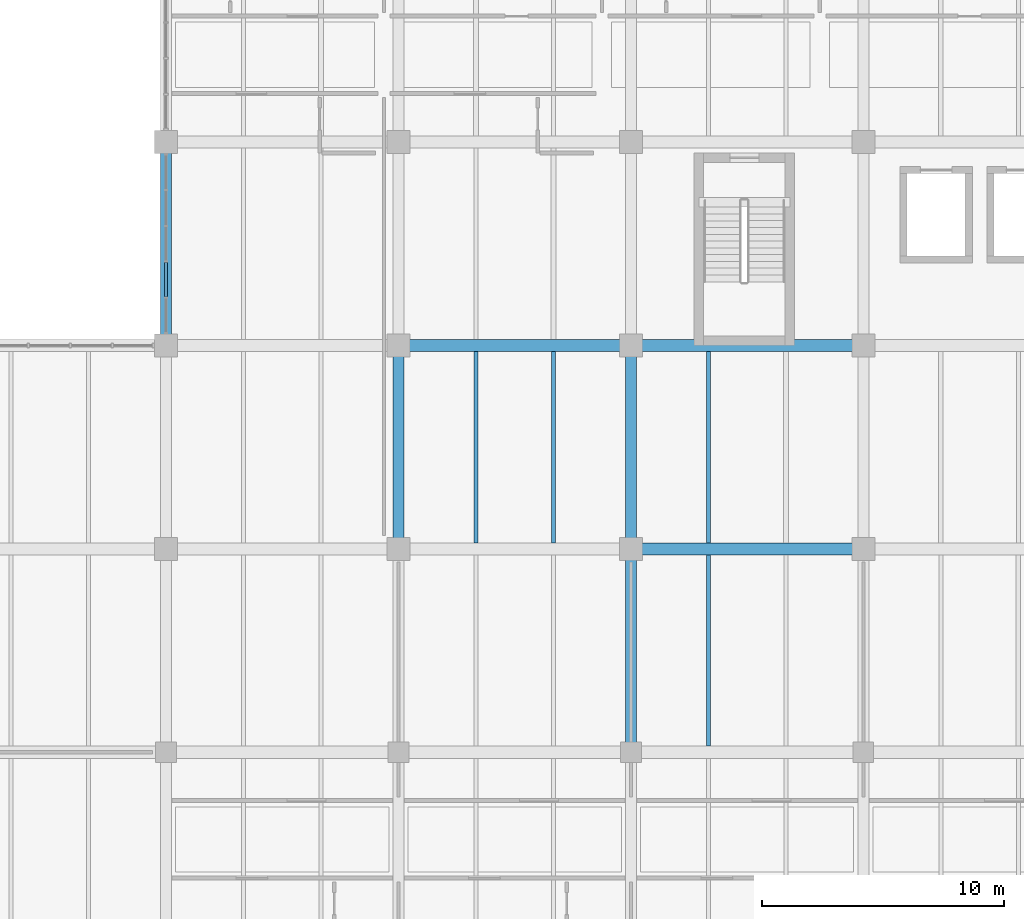
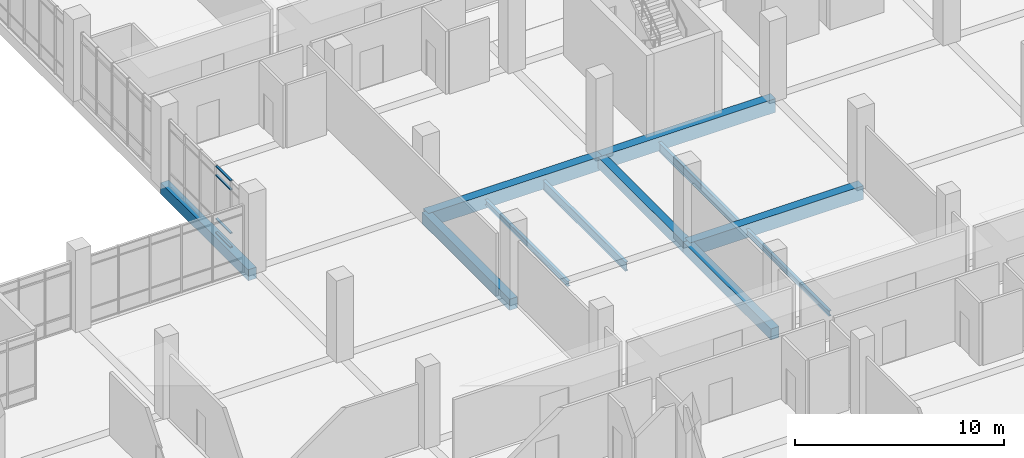
# One storey, part 69 of 152: 11 beams, 4 members, 1 element without a shape of its own.
"""IFC4 building model written with IfcOpenShell, lengths in metres."""

from ifc_helpers import new_model, si_unit, direction, frame, origin, origin_2d, place, context, subcontext, project, spatial, rectangle, i_section, extrude, material, material_profile, profile_set, type_object, element, aggregate, save


model = new_model("IFC4")

# Units and contexts
model_context = context("Model", 3, precision=1e-05, world=origin(), true_north=direction((0.0, 1.0)))
body_context = subcontext(model_context, "Body", "Model", "MODEL_VIEW")
ifc_project = project(units=[si_unit("LENGTHUNIT", "METRE"), si_unit("AREAUNIT", "SQUARE_METRE"), si_unit("VOLUMEUNIT", "CUBIC_METRE"), si_unit("PLANEANGLEUNIT", "RADIAN"), si_unit("MASSUNIT", "GRAM", prefix="KILO")], contexts=[model_context])

# Site, building, storey
site_placement = place(None, origin())
site = spatial("IfcSite", under=ifc_project, at=site_placement, CompositionType="ELEMENT")
building_placement = place(site_placement, origin())
building = spatial("IfcBuilding", under=site, at=building_placement, Name="Oolite Switchyard Hospital", CompositionType="ELEMENT")
storey_placement = place(building_placement, frame((0.0, 0.0, 5.10009765625)))
storey = spatial("IfcBuildingStorey", under=building, at=storey_placement, Name="L01", CompositionType="ELEMENT", Elevation=5.10009765625)

# Beams
ifc_material_1 = material(Name="Concrete C40/50", Category="concrete")
ifc_material_profile_1 = material_profile(ifc_material_1, rectangle(XDim=0.449951171875, YDim=0.64990234375, at=origin_2d()), Name="RCB450X650")
ifc_profile_set_1 = profile_set([ifc_material_profile_1], Name="Concrete C40/50")
beam_type_1 = type_object("IfcBeamType", Name="BM-RC450X650", PredefinedType="BEAM", material=ifc_profile_set_1)
beam_1_placement = place(storey_placement, frame((134.39990234375, 109.199951171875, -0.3251953125), z_axis=(0.0, 1.0, 0.0), x_axis=(-1.0, 0.0, 0.0)))
element("IfcBeam", 1, at=beam_1_placement, inside=storey, type_object=beam_type_1, Name="L01 Y-Girder 456", PredefinedType="BEAM", context=body_context, shape_type="SweptSolid", body=[
    extrude(rectangle(XDim=0.449951171875, YDim=0.64990234375, at=origin_2d()), origin(), (0.0, 0.0, 1.0), 8.400146484375),
])
beam_2_placement = place(storey_placement, frame((144.0, 100.800048828125, -0.3251953125), z_axis=(0.0, 1.0, 0.0), x_axis=(-1.0, 0.0, 0.0)))
element("IfcBeam", 2, at=beam_2_placement, inside=storey, type_object=beam_type_1, Name="L01 Y-Girder 470", PredefinedType="BEAM", context=body_context, shape_type="SweptSolid", body=[
    extrude(rectangle(XDim=0.449951171875, YDim=0.64990234375, at=origin_2d()), origin(), (0.0, 0.0, 1.0), 8.39990234375),
])
beam_3_placement = place(storey_placement, frame((153.60009765625, 92.39990234375, -0.3251953125), z_axis=(0.0, 1.0, 0.0), x_axis=(-1.0, 0.0, 0.0)))
element("IfcBeam", 3, at=beam_3_placement, inside=storey, type_object=beam_type_1, Name="L01 Y-Girder 482", PredefinedType="BEAM", context=body_context, shape_type="SweptSolid", body=[
    extrude(rectangle(XDim=0.449951171875, YDim=0.64990234375, at=origin_2d()), origin(), (0.0, 0.0, 1.0), 8.400146484375),
])
beam_4_placement = place(storey_placement, frame((153.60009765625, 100.800048828125, -0.3251953125), z_axis=(0.0, 1.0, 0.0), x_axis=(-1.0, 0.0, 0.0)))
element("IfcBeam", 4, at=beam_4_placement, inside=storey, type_object=beam_type_1, Name="L01 Y-Girder 483", PredefinedType="BEAM", context=body_context, shape_type="SweptSolid", body=[
    extrude(rectangle(XDim=0.449951171875, YDim=0.64990234375, at=origin_2d()), origin(), (0.0, 0.0, 1.0), 8.39990234375),
])
ifc_material_profile_2 = material_profile(ifc_material_1, rectangle(XDim=0.5, YDim=0.800048828125, at=origin_2d()), Name="RCB500X800")
ifc_profile_set_2 = profile_set([ifc_material_profile_2], Name="Concrete C40/50")
beam_type_2 = type_object("IfcBeamType", Name="BM-RC500X800", PredefinedType="BEAM", material=ifc_profile_set_2)
beam_5_placement = place(storey_placement, frame((153.60009765625, 100.800048828125, -0.400146484375), z_axis=(1.0, 0.0, 0.0), x_axis=(0.0, 1.0, 0.0)))
element("IfcBeam", 5, at=beam_5_placement, inside=storey, type_object=beam_type_2, Name="L01 X-Girder 213", PredefinedType="BEAM", context=body_context, shape_type="SweptSolid", body=[
    extrude(rectangle(XDim=0.5, YDim=0.800048828125, at=origin_2d()), origin(), (0.0, 0.0, 1.0), 9.599853515625),
])
beam_6_placement = place(storey_placement, frame((144.0, 109.199951171875, -0.400146484375), z_axis=(1.0, 0.0, 0.0), x_axis=(0.0, 1.0, 0.0)))
element("IfcBeam", 6, at=beam_6_placement, inside=storey, type_object=beam_type_2, Name="L01 X-Girder 232", PredefinedType="BEAM", context=body_context, shape_type="SweptSolid", body=[
    extrude(rectangle(XDim=0.5, YDim=0.800048828125, at=origin_2d()), origin(), (0.0, 0.0, 1.0), 9.60009765625),
])
beam_7_placement = place(storey_placement, frame((153.60009765625, 109.199951171875, -0.400146484375), z_axis=(1.0, 0.0, 0.0), x_axis=(0.0, 1.0, 0.0)))
element("IfcBeam", 7, at=beam_7_placement, inside=storey, type_object=beam_type_2, Name="L01 X-Girder 233", PredefinedType="BEAM", context=body_context, shape_type="SweptSolid", body=[
    extrude(rectangle(XDim=0.5, YDim=0.800048828125, at=origin_2d()), origin(), (0.0, 0.0, 1.0), 9.599853515625),
])
ifc_material_2 = material(Name="Steel ASTM A992 Grade 50", Category="steel")
ifc_material_profile_3 = material_profile(ifc_material_2, i_section(OverallWidth=0.1650390625, OverallDepth=0.31005859375, WebThickness=0.006103515625, FlangeThickness=0.010009765625, at=origin_2d()), Name="W12X26")
ifc_profile_set_3 = profile_set([ifc_material_profile_3], Name="Steel ASTM A992 Grade 50")
beam_type_3 = type_object("IfcBeamType", Name="BM-W12X26", PredefinedType="JOIST", material=ifc_profile_set_3)
beam_8_placement = place(storey_placement, frame((147.199951171875, 101.050048828125, -0.43017578125), z_axis=(0.0, 1.0, 0.0), x_axis=(-1.0, 0.0, 0.0)))
element("IfcBeam", 8, at=beam_8_placement, inside=storey, type_object=beam_type_3, Name="L01 Secondary Steel Joist 864", PredefinedType="JOIST", context=body_context, shape_type="SweptSolid", body=[
    extrude(i_section(OverallWidth=0.1650390625, OverallDepth=0.31005859375, WebThickness=0.006103515625, FlangeThickness=0.010009765625, at=origin_2d()), origin(), (0.0, 0.0, 1.0), 7.89990234375),
])
beam_9_placement = place(storey_placement, frame((156.800048828125, 92.64990234375, -0.43017578125), z_axis=(0.0, 1.0, 0.0), x_axis=(-1.0, 0.0, 0.0)))
element("IfcBeam", 9, at=beam_9_placement, inside=storey, type_object=beam_type_3, Name="L01 Secondary Steel Joist 884", PredefinedType="JOIST", context=body_context, shape_type="SweptSolid", body=[
    extrude(i_section(OverallWidth=0.1650390625, OverallDepth=0.31005859375, WebThickness=0.006103515625, FlangeThickness=0.010009765625, at=origin_2d()), origin(), (0.0, 0.0, 1.0), 7.900146484375),
])
ifc_material_profile_4 = material_profile(ifc_material_2, i_section(OverallWidth=0.166015625, OverallDepth=0.529052734375, WebThickness=0.010009765625, FlangeThickness=0.013916015625, at=origin_2d()), Name="W21X50")
ifc_profile_set_4 = profile_set([ifc_material_profile_4], Name="Steel ASTM A992 Grade 50")
beam_type_4 = type_object("IfcBeamType", Name="BM-W21X50", PredefinedType="JOIST", material=ifc_profile_set_4)
for number, where, z_axis, x_axis, name in (
    (10, (150.39990234375, 101.050048828125, -0.5400390625), (0.0, 1.0, 0.0), (-1.0, 0.0, 0.0), "L01 Secondary Steel Joist 865"),
    (11, (156.800048828125, 101.050048828125, -0.5400390625), (0.0, 1.0, 0.0), (-1.0, 0.0, 0.0), "L01 Secondary Steel Joist 886"),
):
    element("IfcBeam", number, at=place(storey_placement, frame(where, z_axis=z_axis, x_axis=x_axis)), inside=storey, type_object=beam_type_4, Name=name, PredefinedType="JOIST", context=body_context, shape_type="SweptSolid", body=[
        extrude(i_section(OverallWidth=0.166015625, OverallDepth=0.529052734375, WebThickness=0.010009765625, FlangeThickness=0.013916015625, at=origin_2d()), origin(), (0.0, 0.0, 1.0), 7.89990234375),
    ])

# Curtain wall, members
ifc_material_3 = material(Name="Thermally broken aluminum frame with laminated impact glazing", Category="aluminium")
curtain_wall_type = type_object("IfcCurtainWallType", Name="CW-UNIT-84X48", PredefinedType="USERDEFINED", material=ifc_material_3)
curtain_wall_placement = place(storey_placement, origin())
curtain_wall = element("IfcCurtainWall", 12, at=curtain_wall_placement, inside=storey, type_object=curtain_wall_type, Name="L01 Unitised Curtain Wall 188", ObjectType="UNITISED", PredefinedType="USERDEFINED")
ifc_material_4 = material(Name="Aluminium 6063-T6", Category="aluminium")
ifc_material_profile_5 = material_profile(ifc_material_4, rectangle(XDim=0.1201171875, YDim=0.06005859375, at=origin_2d()), Name="CWT60X120")
ifc_profile_set_5 = profile_set([ifc_material_profile_5], Name="Aluminium 6063-T6")
member_type = type_object("IfcMemberType", Name="CW-TRN-150", PredefinedType="USERDEFINED", material=ifc_profile_set_5)
member_1_placement = place(storey_placement, frame((134.39990234375, 111.2041015625, 0.02978515625), z_axis=(0.0, 1.0, 0.0), x_axis=(-1.0, 0.0, 0.0)))
member_1 = element("IfcMember", 13, at=member_1_placement, type_object=member_type, Name="CW-07 transom 2.1", ObjectType="TRANSOM", PredefinedType="USERDEFINED", context=body_context, shape_type="SweptSolid", body=[
    extrude(rectangle(XDim=0.1201171875, YDim=0.06005859375, at=origin_2d()), origin(), (0.0, 0.0, 1.0), 1.423828125),
])
member_2_placement = place(storey_placement, frame((134.39990234375, 111.2041015625, 0.849853515625), z_axis=(0.0, 1.0, 0.0), x_axis=(-1.0, 0.0, 0.0)))
member_2 = element("IfcMember", 14, at=member_2_placement, type_object=member_type, Name="CW-07 transom 2.2", ObjectType="TRANSOM", PredefinedType="USERDEFINED", context=body_context, shape_type="SweptSolid", body=[
    extrude(rectangle(XDim=0.1201171875, YDim=0.06005859375, at=origin_2d()), origin(), (0.0, 0.0, 1.0), 1.423828125),
])
member_3_placement = place(storey_placement, frame((134.39990234375, 111.2041015625, 3.389892578125), z_axis=(0.0, 1.0, 0.0), x_axis=(-1.0, 0.0, 0.0)))
member_3 = element("IfcMember", 15, at=member_3_placement, type_object=member_type, Name="CW-07 transom 2.3", ObjectType="TRANSOM", PredefinedType="USERDEFINED", context=body_context, shape_type="SweptSolid", body=[
    extrude(rectangle(XDim=0.1201171875, YDim=0.06005859375, at=origin_2d()), origin(), (0.0, 0.0, 1.0), 1.423828125),
])
member_4_placement = place(storey_placement, frame((134.39990234375, 111.2041015625, 3.909912109375), z_axis=(0.0, 1.0, 0.0), x_axis=(-1.0, 0.0, 0.0)))
member_4 = element("IfcMember", 16, at=member_4_placement, type_object=member_type, Name="CW-07 transom 2.4", ObjectType="TRANSOM", PredefinedType="USERDEFINED", context=body_context, shape_type="SweptSolid", body=[
    extrude(rectangle(XDim=0.1201171875, YDim=0.06005859375, at=origin_2d()), origin(), (0.0, 0.0, 1.0), 1.423828125),
])
aggregate(curtain_wall, [member_1, member_2, member_3, member_4])

save(model, "model.ifc")
